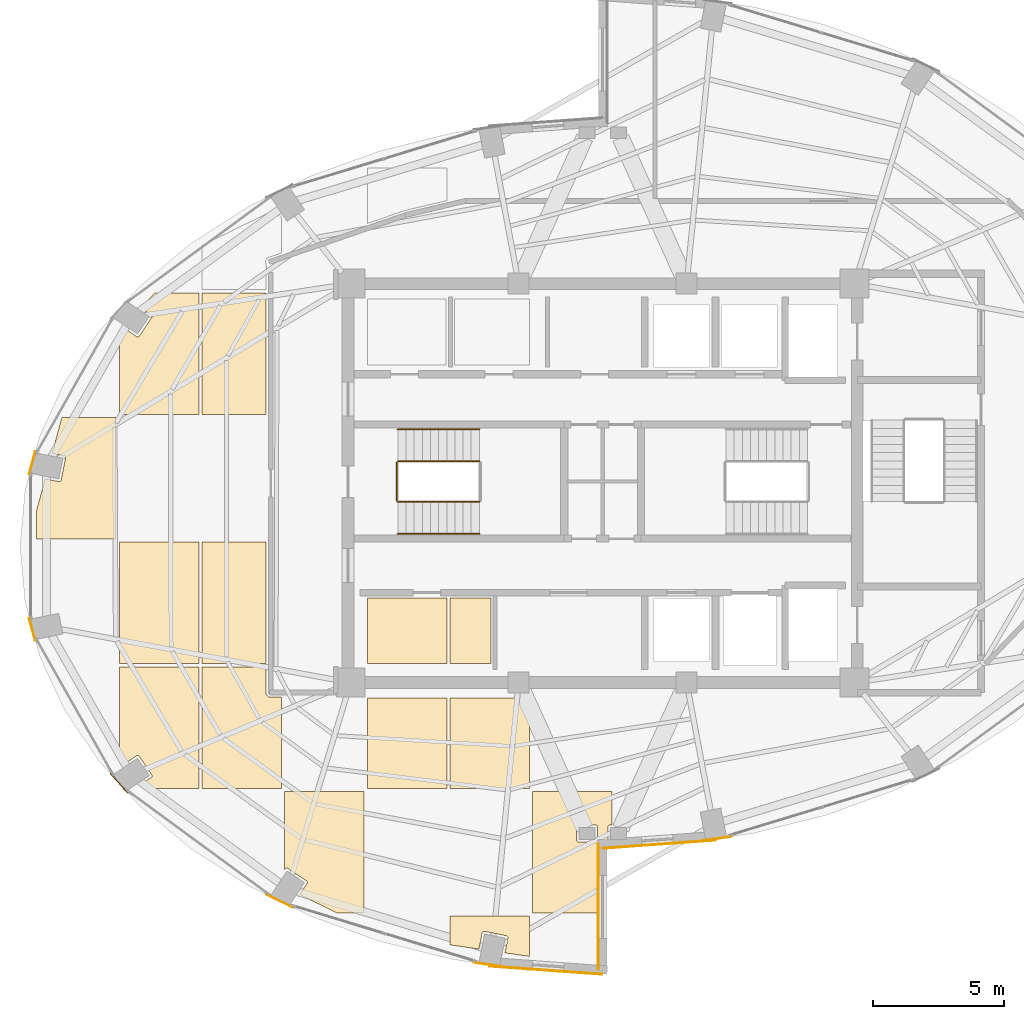
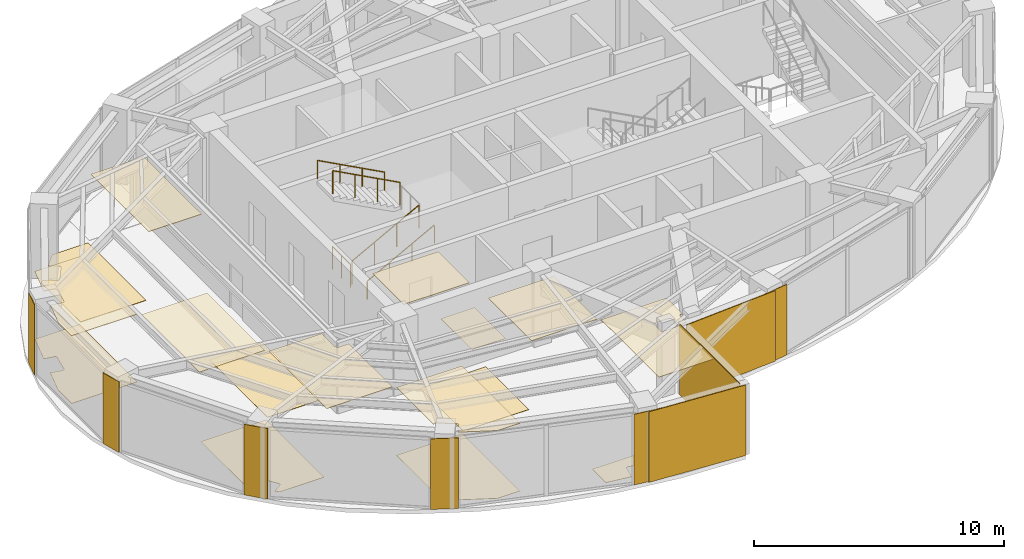
# One storey, part 21 of 22: 25 coverings, 5 railings.
"""IFC4 building model written with IfcOpenShell, lengths in metres."""

from ifc_helpers import new_model, si_unit, direction, frame, origin, origin_2d, place, context, subcontext, project, spatial, polyline, rectangle, circle, outline, extrude, material, layer, layer_set, type_object, element, save


model = new_model("IFC4")

# Units and contexts
model_context = context("Model", 3, precision=1e-05, world=origin(), true_north=direction((0.0, 1.0)))
body_context = subcontext(model_context, "Body", "Model", "MODEL_VIEW")
ifc_project = project(units=[si_unit("LENGTHUNIT", "METRE"), si_unit("AREAUNIT", "SQUARE_METRE"), si_unit("VOLUMEUNIT", "CUBIC_METRE"), si_unit("PLANEANGLEUNIT", "RADIAN"), si_unit("MASSUNIT", "GRAM", prefix="KILO")], contexts=[model_context])

# Site, building, storey
site_placement = place(None, origin())
site = spatial("IfcSite", under=ifc_project, at=site_placement, CompositionType="ELEMENT")
building_placement = place(site_placement, origin())
building = spatial("IfcBuilding", under=site, at=building_placement, Name="Lazwardi Medical Tower", CompositionType="ELEMENT")
storey_placement = place(building_placement, frame((0.0, 0.0, 258.672119140625)))
storey = spatial("IfcBuildingStorey", under=building, at=storey_placement, Name="L67", CompositionType="ELEMENT", Elevation=258.672119140625)

# Coverings
ifc_material_1 = material(Name="Anodised bronze aluminium cassette cladding", Category="aluminium")
ifc_layer_1 = layer(ifc_material_1, 0.030029296875)
ifc_layer_set_1 = layer_set([ifc_layer_1], Name="Anodised bronze aluminium cassette cladding")
covering_type_1 = type_object("IfcCoveringType", Name="COV-CLD-BRZ", PredefinedType="CLADDING", material=ifc_layer_set_1)
covering_1_placement = place(storey_placement, frame((40.3232421875, 14.450439453125, 0.0), z_axis=(0.0, 0.0, 1.0), x_axis=(0.989512431533, 0.144447733943, 0.0)))
element("IfcCovering", 1, at=covering_1_placement, inside=storey, type_object=covering_type_1, Name="L67 Mega-column bronze cassette cover M01", PredefinedType="CLADDING", context=body_context, shape_type="SweptSolid", body=[
    extrude(rectangle(XDim=1.188720703125, YDim=0.030029296875, at=origin_2d()), origin(), (0.0, 0.0, 1.0), 3.447998046875),
])
for number, where, z_axis, x_axis, name in (
    (2, (14.265869140625, 28.772705078125, 0.0), (0.0, 0.0, 1.0), (-0.261641748247, -0.96516506131, 0.0), "L67 Mega-column bronze cassette cover M12"),
    (3, (14.265869140625, 22.427490234375, 0.0), (0.0, 0.0, 1.0), (0.261641748247, -0.96516506131, 0.0), "L67 Mega-column bronze cassette cover M13"),
):
    element("IfcCovering", number, at=place(storey_placement, frame(where, z_axis=z_axis, x_axis=x_axis)), inside=storey, type_object=covering_type_1, Name=name, PredefinedType="CLADDING", context=body_context, shape_type="SweptSolid", body=[
        extrude(rectangle(XDim=0.894287109375, YDim=0.030029296875, at=origin_2d()), origin(), (0.0, 0.0, 1.0), 3.447998046875),
    ])
covering_2_placement = place(storey_placement, frame((17.57470703125, 16.565185546875, 0.0), z_axis=(0.0, 0.0, 1.0), x_axis=(0.673240970654, -0.739423150458, 0.0)))
element("IfcCovering", 4, at=covering_2_placement, inside=storey, type_object=covering_type_1, Name="L67 Mega-column bronze cassette cover M14", PredefinedType="CLADDING", context=body_context, shape_type="SweptSolid", body=[
    extrude(rectangle(XDim=0.98974609375, YDim=0.030029296875, at=origin_2d()), origin(), (0.0, 0.0, 1.0), 3.447998046875),
])
covering_3_placement = place(storey_placement, frame((23.688720703125, 12.07861328125, 0.0), z_axis=(0.0, 0.0, 1.0), x_axis=(0.897840141691, -0.440321564278, 0.0)))
element("IfcCovering", 5, at=covering_3_placement, inside=storey, type_object=covering_type_1, Name="L67 Mega-column bronze cassette cover M15", PredefinedType="CLADDING", context=body_context, shape_type="SweptSolid", body=[
    extrude(rectangle(XDim=1.110595703125, YDim=0.030029296875, at=origin_2d()), origin(), (0.0, 0.0, 1.0), 3.447998046875),
])
covering_4_placement = place(storey_placement, frame((31.6767578125, 9.650390625, 0.0), z_axis=(0.0, 0.0, 1.0), x_axis=(0.989512431533, -0.144447733943, 0.0)))
element("IfcCovering", 6, at=covering_4_placement, inside=storey, type_object=covering_type_1, Name="L67 Mega-column bronze cassette cover M16", PredefinedType="CLADDING", context=body_context, shape_type="SweptSolid", body=[
    extrude(rectangle(XDim=1.188720703125, YDim=0.030029296875, at=origin_2d()), origin(), (0.0, 0.0, 1.0), 3.447998046875),
])
ifc_material_2 = material(Name="Turquoise glazed ceramic tilework cladding", Category="masonry")
ifc_layer_2 = layer(ifc_material_2, 0.034912109375)
ifc_layer_set_2 = layer_set([ifc_layer_2], Name="Turquoise glazed ceramic tilework cladding")
covering_type_2 = type_object("IfcCoveringType", Name="COV-CLD-TRQ", PredefinedType="CLADDING", material=ifc_layer_set_2)
covering_5_placement = place(storey_placement, frame((38.16259765625, 14.239990234375, 0.0), z_axis=(0.0, 0.0, 1.0), x_axis=(0.997409491337, 0.071932653157, 0.0)))
element("IfcCovering", 7, at=covering_5_placement, inside=storey, type_object=covering_type_2, Name="L67 Turquoise glazed ceramic tilework cladding", PredefinedType="CLADDING", context=body_context, shape_type="SweptSolid", body=[
    extrude(rectangle(XDim=4.31103515625, YDim=0.034912109375, at=origin_2d()), origin(), (0.0, 0.0, 1.0), 3.447998046875),
])
covering_6_placement = place(storey_placement, frame((33.83740234375, 9.43994140625, 0.0), z_axis=(0.0, 0.0, 1.0), x_axis=(0.997408989128, -0.071939616387, 0.0)))
element("IfcCovering", 8, at=covering_6_placement, inside=storey, type_object=covering_type_2, Name="L67 Turquoise glazed ceramic tilework cladding", PredefinedType="CLADDING", context=body_context, shape_type="SweptSolid", body=[
    extrude(rectangle(XDim=4.310546875, YDim=0.034912109375, at=origin_2d()), origin(), (0.0, 0.0, 1.0), 3.447998046875),
])
covering_7_placement = place(storey_placement, frame((35.824462890625, 11.860107421875, 0.0), z_axis=(0.0, 0.0, 1.0), x_axis=(0.0, 1.0, 0.0)))
element("IfcCovering", 9, at=covering_7_placement, inside=storey, type_object=covering_type_2, Name="L67 Turquoise glazed ceramic tilework iwan panel", PredefinedType="CLADDING", context=body_context, shape_type="SweptSolid", body=[
    extrude(rectangle(XDim=4.800048828125, YDim=0.034912109375, at=origin_2d()), origin(), (0.0, 0.0, 1.0), 3.447998046875),
])
ifc_material_3 = material(Name="Acoustic mineral fibre tile")
ifc_layer_3 = layer(ifc_material_3, 0.02490234375)
ifc_layer_set_3 = layer_set([ifc_layer_3], Name="Acoustic mineral fibre tile")
covering_type_3 = type_object("IfcCoveringType", Name="COV-CLG-01", PredefinedType="CEILING", material=ifc_layer_set_3)
covering_8_placement = place(storey_placement, frame((0.0, 0.0, 3.302978515625)))
element("IfcCovering", 10, at=covering_8_placement, inside=storey, type_object=covering_type_3, Name="L67 Clinical Acoustic Ceiling 1", PredefinedType="CEILING", context=body_context, shape_type="SweptSolid", body=[
    extrude(outline(polyline([(15.39501953125, 30.50244140625), (15.0224609375, 29.13134765625), (15.4716796875, 29.0419921875), (15.479248046875, 29.040283203125), (15.486572265625, 29.03759765625), (15.49365234375, 29.0341796875), (15.50048828125, 29.030029296875), (15.5068359375, 29.025390625), (15.5126953125, 29.020263671875), (15.517822265625, 29.014404296875), (15.5224609375, 29.008056640625), (15.526611328125, 29.001220703125), (15.52978515625, 28.994140625), (15.53271484375, 28.98681640625), (15.534423828125, 28.979248046875), (15.53564453125, 28.971435546875), (15.535888671875, 28.963623046875), (15.53564453125, 28.955810546875), (15.534423828125, 28.947998046875), (15.37060546875, 28.124267578125), (15.36865234375, 28.11669921875), (15.365966796875, 28.109130859375), (15.36279296875, 28.10205078125), (15.358642578125, 28.095458984375), (15.35400390625, 28.089111328125), (15.3486328125, 28.083251953125), (15.343017578125, 28.077880859375), (15.33642578125, 28.0732421875), (15.329833984375, 28.069091796875), (15.32275390625, 28.06591796875), (15.315185546875, 28.063232421875), (15.3076171875, 28.061279296875), (15.2998046875, 28.060302734375), (15.2919921875, 28.059814453125), (15.2841796875, 28.060302734375), (15.276611328125, 28.061279296875), (14.759521484375, 28.1640625), (14.432861328125, 26.961669921875), (14.432861328125, 25.87255859375), (17.462890625, 25.87255859375), (17.462890625, 30.50244140625), (15.39501953125, 30.50244140625)])), origin(), (0.0, 0.0, 1.0), 0.02490234375),
])
covering_9_placement = place(storey_placement, frame((0.0, 0.0, 3.302978515625)))
element("IfcCovering", 11, at=covering_9_placement, inside=storey, type_object=covering_type_3, Name="L67 Clinical Acoustic Ceiling 2", PredefinedType="CEILING", context=body_context, shape_type="SweptSolid", body=[
    extrude(outline(polyline([(20.61279296875, 21.12255859375), (20.61279296875, 25.75244140625), (17.5830078125, 25.75244140625), (17.5830078125, 21.12255859375), (20.61279296875, 21.12255859375)])), origin(), (0.0, 0.0, 1.0), 0.02490234375),
])
covering_10_placement = place(storey_placement, frame((0.0, 0.0, 3.302978515625)))
element("IfcCovering", 12, at=covering_10_placement, inside=storey, type_object=covering_type_3, Name="L67 Clinical Acoustic Ceiling 3", PredefinedType="CEILING", context=body_context, shape_type="SweptSolid", body=[
    extrude(outline(polyline([(23.762939453125, 19.844970703125), (23.35009765625, 19.844970703125), (23.345703125, 19.84521484375), (23.33642578125, 19.845703125), (23.32958984375, 19.84619140625), (23.3203125, 19.84765625), (23.31201171875, 19.84912109375), (23.302734375, 19.8515625), (23.2958984375, 19.853515625), (23.287109375, 19.856689453125), (23.279296875, 19.860107421875), (23.270751953125, 19.864013671875), (23.263916015625, 19.86767578125), (23.256103515625, 19.872314453125), (23.249267578125, 19.876953125), (23.24169921875, 19.882568359375), (23.236083984375, 19.88720703125), (23.229248046875, 19.893310546875), (23.223388671875, 19.8994140625), (23.217041015625, 19.90625), (23.21240234375, 19.911865234375), (23.206787109375, 19.919189453125), (23.202392578125, 19.926025390625), (23.197509765625, 19.93408203125), (23.194091796875, 19.94091796875), (23.18994140625, 19.94921875), (23.186767578125, 19.95703125), (23.18359375, 19.9658203125), (23.181396484375, 19.972900390625), (23.17919921875, 19.98193359375), (23.177490234375, 19.990234375), (23.17626953125, 19.99951171875), (23.175537109375, 20.00634765625), (23.175048828125, 20.015625), (23.175048828125, 20.02001953125), (23.175048828125, 21.00244140625), (20.73291015625, 21.00244140625), (20.73291015625, 16.37255859375), (23.762939453125, 16.37255859375), (23.762939453125, 19.844970703125)])), origin(), (0.0, 0.0, 1.0), 0.02490234375),
])
covering_11_placement = place(storey_placement, frame((0.0, 0.0, 3.302978515625)))
element("IfcCovering", 13, at=covering_11_placement, inside=storey, type_object=covering_type_3, Name="L67 Clinical Acoustic Ceiling 4", PredefinedType="CEILING", context=body_context, shape_type="SweptSolid", body=[
    extrude(outline(polyline([(23.175048828125, 30.62255859375), (23.175048828125, 35.25244140625), (20.73291015625, 35.25244140625), (20.73291015625, 30.62255859375), (23.175048828125, 30.62255859375)])), origin(), (0.0, 0.0, 1.0), 0.02490234375),
])
covering_12_placement = place(storey_placement, frame((0.0, 0.0, 3.302978515625)))
element("IfcCovering", 14, at=covering_12_placement, inside=storey, type_object=covering_type_3, Name="L67 Clinical Acoustic Ceiling 5", PredefinedType="CEILING", context=body_context, shape_type="SweptSolid", body=[
    extrude(outline(polyline([(23.8828125, 13.27099609375), (23.900634765625, 13.297607421875), (23.905517578125, 13.303955078125), (23.91064453125, 13.309814453125), (23.91650390625, 13.31494140625), (23.9228515625, 13.319580078125), (23.929443359375, 13.32373046875), (23.9365234375, 13.3271484375), (23.944091796875, 13.329833984375), (23.95166015625, 13.331787109375), (23.95947265625, 13.332763671875), (23.96728515625, 13.333251953125), (23.97509765625, 13.332763671875), (23.98291015625, 13.331787109375), (23.990478515625, 13.329833984375), (23.997802734375, 13.3271484375), (24.0048828125, 13.32373046875), (24.01171875, 13.319580078125), (24.7099609375, 12.85302734375), (24.71630859375, 12.848388671875), (24.72216796875, 12.843017578125), (24.727294921875, 12.83740234375), (24.732177734375, 12.830810546875), (24.736083984375, 12.82421875), (24.739501953125, 12.817138671875), (24.7421875, 12.809814453125), (24.744140625, 12.802001953125), (24.7451171875, 12.794189453125), (24.74560546875, 12.78662109375), (24.7451171875, 12.77880859375), (24.744140625, 12.77099609375), (24.7421875, 12.76318359375), (24.739501953125, 12.755859375), (24.736083984375, 12.748779296875), (24.732177734375, 12.7421875), (24.4521484375, 12.322998046875), (25.8837890625, 11.62255859375), (26.912841796875, 11.62255859375), (26.912841796875, 16.25244140625), (23.8828125, 16.25244140625), (23.8828125, 13.27099609375)])), origin(), (0.0, 0.0, 1.0), 0.02490234375),
])
covering_13_placement = place(storey_placement, frame((0.0, 0.0, 3.302978515625)))
element("IfcCovering", 15, at=covering_13_placement, inside=storey, type_object=covering_type_3, Name="L67 Clinical Acoustic Ceiling 6", PredefinedType="CEILING", context=body_context, shape_type="SweptSolid", body=[
    extrude(outline(polyline([(30.06298828125, 23.6201171875), (27.032958984375, 23.6201171875), (27.032958984375, 21.12255859375), (30.06298828125, 21.12255859375), (30.06298828125, 23.6201171875)])), origin(), (0.0, 0.0, 1.0), 0.02490234375),
])
covering_14_placement = place(storey_placement, frame((0.0, 0.0, 3.302978515625)))
element("IfcCovering", 16, at=covering_14_placement, inside=storey, type_object=covering_type_3, Name="L67 Clinical Acoustic Ceiling 8", PredefinedType="CEILING", context=body_context, shape_type="SweptSolid", body=[
    extrude(outline(polyline([(33.212890625, 19.820068359375), (30.182861328125, 19.820068359375), (30.182861328125, 16.37255859375), (33.212890625, 16.37255859375), (33.212890625, 19.820068359375)])), origin(), (0.0, 0.0, 1.0), 0.02490234375),
])
covering_15_placement = place(storey_placement, frame((0.0, 0.0, 3.302978515625)))
element("IfcCovering", 17, at=covering_15_placement, inside=storey, type_object=covering_type_3, Name="L67 Clinical Acoustic Ceiling 10", PredefinedType="CEILING", context=body_context, shape_type="SweptSolid", body=[
    extrude(outline(polyline([(35.919921875, 11.62255859375), (35.919921875, 14.280029296875), (35.92041015625, 14.28759765625), (35.92138671875, 14.295166015625), (35.923095703125, 14.302490234375), (35.92578125, 14.309814453125), (35.928955078125, 14.316650390625), (35.9326171875, 14.3232421875), (35.93701171875, 14.329345703125), (35.94189453125, 14.335205078125), (35.947509765625, 14.34033203125), (35.95361328125, 14.34521484375), (35.9599609375, 14.34912109375), (35.966796875, 14.352783203125), (35.9736328125, 14.355712890625), (35.98095703125, 14.357666015625), (35.988525390625, 14.359130859375), (36.201416015625, 14.39013671875), (36.200439453125, 14.397216796875), (36.199951171875, 14.405029296875), (36.199951171875, 14.89501953125), (36.200439453125, 14.90283203125), (36.201416015625, 14.91064453125), (36.203369140625, 14.918212890625), (36.2060546875, 14.925537109375), (36.20947265625, 14.9326171875), (36.21337890625, 14.939453125), (36.21826171875, 14.94580078125), (36.223388671875, 14.95166015625), (36.229248046875, 14.956787109375), (36.235595703125, 14.96142578125), (36.2421875, 14.965576171875), (36.24951171875, 14.968994140625), (36.2568359375, 14.9716796875), (36.264404296875, 14.973388671875), (36.272216796875, 14.974609375), (36.280029296875, 14.97509765625), (36.36279296875, 14.97509765625), (36.36279296875, 16.25244140625), (33.3330078125, 16.25244140625), (33.3330078125, 11.62255859375), (35.919921875, 11.62255859375)]), holes=[polyline([(35.7431640625, 14.328369140625), (35.735595703125, 14.326416015625), (35.727783203125, 14.325439453125), (35.719970703125, 14.324951171875), (35.080078125, 14.324951171875), (35.072265625, 14.325439453125), (35.064453125, 14.326416015625), (35.056884765625, 14.328369140625), (35.04931640625, 14.3310546875), (35.042236328125, 14.33447265625), (35.03564453125, 14.33837890625), (35.029296875, 14.34326171875), (35.0234375, 14.348388671875), (35.018310546875, 14.354248046875), (35.013427734375, 14.360595703125), (35.009521484375, 14.3671875), (35.006103515625, 14.37451171875), (35.00341796875, 14.3818359375), (35.00146484375, 14.389404296875), (35.00048828125, 14.397216796875), (35.0, 14.405029296875), (35.0, 14.89501953125), (35.00048828125, 14.90283203125), (35.00146484375, 14.91064453125), (35.00341796875, 14.918212890625), (35.006103515625, 14.925537109375), (35.009521484375, 14.9326171875), (35.013427734375, 14.939453125), (35.018310546875, 14.94580078125), (35.0234375, 14.95166015625), (35.029296875, 14.956787109375), (35.03564453125, 14.96142578125), (35.042236328125, 14.965576171875), (35.04931640625, 14.968994140625), (35.056884765625, 14.9716796875), (35.064453125, 14.973388671875), (35.072265625, 14.974609375), (35.080078125, 14.97509765625), (35.719970703125, 14.97509765625), (35.727783203125, 14.974609375), (35.735595703125, 14.973388671875), (35.7431640625, 14.9716796875), (35.75048828125, 14.968994140625), (35.7578125, 14.965576171875), (35.764404296875, 14.96142578125), (35.770751953125, 14.956787109375), (35.776611328125, 14.95166015625), (35.78173828125, 14.94580078125), (35.78662109375, 14.939453125), (35.79052734375, 14.9326171875), (35.7939453125, 14.925537109375), (35.796630859375, 14.918212890625), (35.798583984375, 14.91064453125), (35.799560546875, 14.90283203125), (35.800048828125, 14.89501953125), (35.800048828125, 14.405029296875), (35.799560546875, 14.397216796875), (35.798583984375, 14.389404296875), (35.796630859375, 14.3818359375), (35.7939453125, 14.37451171875), (35.79052734375, 14.3671875), (35.78662109375, 14.360595703125), (35.78173828125, 14.354248046875), (35.776611328125, 14.348388671875), (35.770751953125, 14.34326171875), (35.764404296875, 14.33837890625), (35.7578125, 14.33447265625), (35.75048828125, 14.3310546875), (35.7431640625, 14.328369140625)])]), origin(), (0.0, 0.0, 1.0), 0.02490234375),
])
ifc_material_4 = material(Name="Anti-static hospital vinyl sheet flooring")
ifc_layer_4 = layer(ifc_material_4, 0.014892578125)
ifc_layer_set_4 = layer_set([ifc_layer_4], Name="Anti-static hospital vinyl sheet flooring")
covering_type_4 = type_object("IfcCoveringType", Name="COV-FLR-01", PredefinedType="FLOORING", material=ifc_layer_set_4)
covering_16_placement = place(storey_placement, origin())
element("IfcCovering", 18, at=covering_16_placement, inside=storey, type_object=covering_type_4, Name="L67 Clinical Vinyl Flooring 1", PredefinedType="FLOORING", context=body_context, shape_type="SweptSolid", body=[
    extrude(outline(polyline([(15.39501953125, 30.50244140625), (15.0224609375, 29.13134765625), (15.4716796875, 29.0419921875), (15.479248046875, 29.040283203125), (15.486572265625, 29.03759765625), (15.49365234375, 29.0341796875), (15.50048828125, 29.030029296875), (15.5068359375, 29.025390625), (15.5126953125, 29.020263671875), (15.517822265625, 29.014404296875), (15.5224609375, 29.008056640625), (15.526611328125, 29.001220703125), (15.52978515625, 28.994140625), (15.53271484375, 28.98681640625), (15.534423828125, 28.979248046875), (15.53564453125, 28.971435546875), (15.535888671875, 28.963623046875), (15.53564453125, 28.955810546875), (15.534423828125, 28.947998046875), (15.37060546875, 28.124267578125), (15.36865234375, 28.11669921875), (15.365966796875, 28.109130859375), (15.36279296875, 28.10205078125), (15.358642578125, 28.095458984375), (15.35400390625, 28.089111328125), (15.3486328125, 28.083251953125), (15.343017578125, 28.077880859375), (15.33642578125, 28.0732421875), (15.329833984375, 28.069091796875), (15.32275390625, 28.06591796875), (15.315185546875, 28.063232421875), (15.3076171875, 28.061279296875), (15.2998046875, 28.060302734375), (15.2919921875, 28.059814453125), (15.2841796875, 28.060302734375), (15.276611328125, 28.061279296875), (14.759521484375, 28.1640625), (14.432861328125, 26.961669921875), (14.432861328125, 25.87255859375), (17.462890625, 25.87255859375), (17.462890625, 30.50244140625), (15.39501953125, 30.50244140625)])), origin(), (0.0, 0.0, 1.0), 0.014892578125),
])
covering_17_placement = place(storey_placement, origin())
element("IfcCovering", 19, at=covering_17_placement, inside=storey, type_object=covering_type_4, Name="L67 Clinical Vinyl Flooring 2", PredefinedType="FLOORING", context=body_context, shape_type="SweptSolid", body=[
    extrude(outline(polyline([(17.5830078125, 17.43896484375), (17.7333984375, 17.273681640625), (18.236572265625, 17.60986328125), (18.2431640625, 17.614013671875), (18.250244140625, 17.6171875), (18.2578125, 17.6201171875), (18.265380859375, 17.621826171875), (18.273193359375, 17.623046875), (18.281005859375, 17.623291015625), (18.288818359375, 17.623046875), (18.29638671875, 17.621826171875), (18.30419921875, 17.6201171875), (18.3115234375, 17.6171875), (18.318603515625, 17.614013671875), (18.3251953125, 17.60986328125), (18.33154296875, 17.605224609375), (18.33740234375, 17.60009765625), (18.3427734375, 17.59423828125), (18.347412109375, 17.587890625), (18.814208984375, 16.889404296875), (18.818115234375, 16.8828125), (18.821533203125, 16.87548828125), (18.82421875, 16.8681640625), (18.826171875, 16.860595703125), (18.8271484375, 16.852783203125), (18.82763671875, 16.844970703125), (18.8271484375, 16.837158203125), (18.826171875, 16.829345703125), (18.82421875, 16.82177734375), (18.821533203125, 16.814453125), (18.818115234375, 16.807373046875), (18.814208984375, 16.800537109375), (18.809326171875, 16.794189453125), (18.80419921875, 16.788330078125), (18.79833984375, 16.783203125), (18.7919921875, 16.778564453125), (18.415283203125, 16.52685546875), (18.55615234375, 16.37255859375), (20.61279296875, 16.37255859375), (20.61279296875, 21.00244140625), (17.5830078125, 21.00244140625), (17.5830078125, 17.43896484375)])), origin(), (0.0, 0.0, 1.0), 0.014892578125),
])
covering_18_placement = place(storey_placement, origin())
element("IfcCovering", 20, at=covering_18_placement, inside=storey, type_object=covering_type_4, Name="L67 Clinical Vinyl Flooring 3", PredefinedType="FLOORING", context=body_context, shape_type="SweptSolid", body=[
    extrude(outline(polyline([(18.944091796875, 35.25244140625), (18.415283203125, 34.673095703125), (18.7919921875, 34.42138671875), (18.79833984375, 34.416748046875), (18.80419921875, 34.41162109375), (18.809326171875, 34.40576171875), (18.814208984375, 34.3994140625), (18.818115234375, 34.392578125), (18.821533203125, 34.385498046875), (18.82421875, 34.378173828125), (18.826171875, 34.37060546875), (18.8271484375, 34.36279296875), (18.82763671875, 34.35498046875), (18.8271484375, 34.34716796875), (18.826171875, 34.33935546875), (18.82421875, 34.331787109375), (18.821533203125, 34.324462890625), (18.818115234375, 34.3173828125), (18.814208984375, 34.310546875), (18.347412109375, 33.6123046875), (18.3427734375, 33.605712890625), (18.33740234375, 33.60009765625), (18.33154296875, 33.5947265625), (18.3251953125, 33.590087890625), (18.318603515625, 33.5859375), (18.3115234375, 33.582763671875), (18.30419921875, 33.580078125), (18.29638671875, 33.578125), (18.288818359375, 33.576904296875), (18.281005859375, 33.57666015625), (18.273193359375, 33.576904296875), (18.265380859375, 33.578125), (18.2578125, 33.580078125), (18.250244140625, 33.582763671875), (18.2431640625, 33.5859375), (18.236572265625, 33.590087890625), (17.7333984375, 33.92626953125), (17.5830078125, 33.760986328125), (17.5830078125, 30.62255859375), (20.61279296875, 30.62255859375), (20.61279296875, 35.25244140625), (18.944091796875, 35.25244140625)])), origin(), (0.0, 0.0, 1.0), 0.014892578125),
])
covering_19_placement = place(storey_placement, origin())
element("IfcCovering", 21, at=covering_19_placement, inside=storey, type_object=covering_type_4, Name="L67 Clinical Vinyl Flooring 4", PredefinedType="FLOORING", context=body_context, shape_type="SweptSolid", body=[
    extrude(outline(polyline([(23.175048828125, 21.12255859375), (23.175048828125, 25.75244140625), (20.73291015625, 25.75244140625), (20.73291015625, 21.12255859375), (23.175048828125, 21.12255859375)])), origin(), (0.0, 0.0, 1.0), 0.014892578125),
])
covering_20_placement = place(storey_placement, origin())
element("IfcCovering", 22, at=covering_20_placement, inside=storey, type_object=covering_type_4, Name="L67 Clinical Vinyl Flooring 6", PredefinedType="FLOORING", context=body_context, shape_type="SweptSolid", body=[
    extrude(outline(polyline([(23.8828125, 13.27099609375), (23.900634765625, 13.297607421875), (23.905517578125, 13.303955078125), (23.91064453125, 13.309814453125), (23.91650390625, 13.31494140625), (23.9228515625, 13.319580078125), (23.929443359375, 13.32373046875), (23.9365234375, 13.3271484375), (23.944091796875, 13.329833984375), (23.95166015625, 13.331787109375), (23.95947265625, 13.332763671875), (23.96728515625, 13.333251953125), (23.97509765625, 13.332763671875), (23.98291015625, 13.331787109375), (23.990478515625, 13.329833984375), (23.997802734375, 13.3271484375), (24.0048828125, 13.32373046875), (24.01171875, 13.319580078125), (24.7099609375, 12.85302734375), (24.71630859375, 12.848388671875), (24.72216796875, 12.843017578125), (24.727294921875, 12.83740234375), (24.732177734375, 12.830810546875), (24.736083984375, 12.82421875), (24.739501953125, 12.817138671875), (24.7421875, 12.809814453125), (24.744140625, 12.802001953125), (24.7451171875, 12.794189453125), (24.74560546875, 12.78662109375), (24.7451171875, 12.77880859375), (24.744140625, 12.77099609375), (24.7421875, 12.76318359375), (24.739501953125, 12.755859375), (24.736083984375, 12.748779296875), (24.732177734375, 12.7421875), (24.4521484375, 12.322998046875), (25.8837890625, 11.62255859375), (26.912841796875, 11.62255859375), (26.912841796875, 16.25244140625), (23.8828125, 16.25244140625), (23.8828125, 13.27099609375)])), origin(), (0.0, 0.0, 1.0), 0.014892578125),
])
covering_21_placement = place(storey_placement, origin())
element("IfcCovering", 23, at=covering_21_placement, inside=storey, type_object=covering_type_4, Name="L67 Clinical Vinyl Flooring 7", PredefinedType="FLOORING", context=body_context, shape_type="SweptSolid", body=[
    extrude(outline(polyline([(30.06298828125, 19.820068359375), (27.04931640625, 19.820068359375), (27.048583984375, 19.814453125), (27.046630859375, 19.806884765625), (27.0439453125, 19.79931640625), (27.04052734375, 19.792236328125), (27.03662109375, 19.78564453125), (27.032958984375, 19.78076171875), (27.032958984375, 16.37255859375), (30.06298828125, 16.37255859375), (30.06298828125, 19.820068359375)])), origin(), (0.0, 0.0, 1.0), 0.014892578125),
])
covering_22_placement = place(storey_placement, origin())
element("IfcCovering", 24, at=covering_22_placement, inside=storey, type_object=covering_type_4, Name="L67 Clinical Vinyl Flooring 9", PredefinedType="FLOORING", context=body_context, shape_type="SweptSolid", body=[
    extrude(outline(polyline([(30.182861328125, 10.407958984375), (31.285400390625, 10.247314453125), (31.40673828125, 10.8583984375), (31.40869140625, 10.865966796875), (31.411376953125, 10.873291015625), (31.414794921875, 10.88037109375), (31.418701171875, 10.88720703125), (31.423583984375, 10.8935546875), (31.4287109375, 10.8994140625), (31.4345703125, 10.904541015625), (31.44091796875, 10.9091796875), (31.447509765625, 10.913330078125), (31.45458984375, 10.91650390625), (31.462158203125, 10.919189453125), (31.4697265625, 10.921142578125), (31.4775390625, 10.92236328125), (31.4853515625, 10.922607421875), (31.4931640625, 10.92236328125), (31.5009765625, 10.921142578125), (32.32470703125, 10.75732421875), (32.332275390625, 10.75537109375), (32.339599609375, 10.752685546875), (32.3466796875, 10.74951171875), (32.353515625, 10.745361328125), (32.35986328125, 10.740478515625), (32.36572265625, 10.7353515625), (32.370849609375, 10.7294921875), (32.37548828125, 10.72314453125), (32.379638671875, 10.716552734375), (32.383056640625, 10.70947265625), (32.3857421875, 10.701904296875), (32.3876953125, 10.6943359375), (32.388671875, 10.6865234375), (32.38916015625, 10.6787109375), (32.388671875, 10.6708984375), (32.3876953125, 10.6630859375), (32.276123046875, 10.10302734375), (33.212890625, 9.966796875), (33.212890625, 11.50244140625), (30.182861328125, 11.50244140625), (30.182861328125, 10.407958984375)])), origin(), (0.0, 0.0, 1.0), 0.014892578125),
])
covering_23_placement = place(storey_placement, origin())
element("IfcCovering", 25, at=covering_23_placement, inside=storey, type_object=covering_type_4, Name="L67 Clinical Vinyl Flooring 10", PredefinedType="FLOORING", context=body_context, shape_type="SweptSolid", body=[
    extrude(outline(polyline([(31.739990234375, 21.12255859375), (31.739990234375, 23.6201171875), (30.182861328125, 23.6201171875), (30.182861328125, 21.12255859375), (31.739990234375, 21.12255859375)])), origin(), (0.0, 0.0, 1.0), 0.014892578125),
])

# Railings
ifc_material_5 = material(Name="Stainless steel Grade 316", Category="steel")
railing_type_1 = type_object("IfcRailingType", Name="RLG-GRD-1150", PredefinedType="GUARDRAIL", material=ifc_material_5)
railing_1_placement = place(storey_placement, frame((28.199951171875, 27.2900390625, 0.165771484375)))
element("IfcRailing", 26, at=railing_1_placement, inside=storey, type_object=railing_type_1, Name="L67 ST1 stair guard 1", PredefinedType="GUARDRAIL", context=body_context, shape_type="SweptSolid", body=[
    extrude(circle(Radius=0.02392578125, at=origin_2d()), frame((0.0, 0.0, 1.1259765625), z_axis=(0.881783298633, 0.0, 0.471654761719), x_axis=(0.0, 1.0, 0.0)), (0.0, 0.0, 1.0), 3.515625),
    extrude(circle(Radius=0.02099609375, at=origin_2d()), origin(), (0.0, 0.0, 1.0), 1.099853515625),
    extrude(circle(Radius=0.02099609375, at=origin_2d()), frame((1.033447265625, 0.0, 0.552734375)), (0.0, 0.0, 1.0), 1.099853515625),
    extrude(circle(Radius=0.02099609375, at=origin_2d()), frame((2.066650390625, 0.0, 1.10546875)), (0.0, 0.0, 1.0), 1.099853515625),
    extrude(circle(Radius=0.02099609375, at=origin_2d()), frame((3.10009765625, 0.0, 1.658203125)), (0.0, 0.0, 1.0), 1.099853515625),
])
railing_2_placement = place(storey_placement, frame((31.300048828125, 28.830078125, 1.98974609375)))
element("IfcRailing", 27, at=railing_2_placement, inside=storey, type_object=railing_type_1, Name="L67 ST1 stair guard 3", PredefinedType="GUARDRAIL", context=body_context, shape_type="SweptSolid", body=[
    extrude(circle(Radius=0.02392578125, at=origin_2d()), frame((0.0, 0.0, 1.1259765625), z_axis=(-0.881783298633, 0.0, 0.471654761719), x_axis=(0.0, -1.0, 0.0)), (0.0, 0.0, 1.0), 3.515625),
    extrude(circle(Radius=0.02099609375, at=origin_2d()), origin(), (0.0, 0.0, 1.0), 1.099853515625),
    extrude(circle(Radius=0.02099609375, at=origin_2d()), frame((-1.033447265625, 0.0, 0.552734375)), (0.0, 0.0, 1.0), 1.099853515625),
    extrude(circle(Radius=0.02099609375, at=origin_2d()), frame((-2.066650390625, 0.0, 1.10546875)), (0.0, 0.0, 1.0), 1.099853515625),
    extrude(circle(Radius=0.02099609375, at=origin_2d()), frame((-3.10009765625, 0.0, 1.658203125)), (0.0, 0.0, 1.0), 1.099853515625),
])
railing_3_placement = place(storey_placement, frame((28.14990234375, 27.340087890625, 0.0)))
element("IfcRailing", 28, at=railing_3_placement, inside=storey, type_object=railing_type_1, Name="L67 ST1 stair guard 4", PredefinedType="GUARDRAIL", context=body_context, shape_type="SweptSolid", body=[
    extrude(circle(Radius=0.02392578125, at=origin_2d()), frame((0.0, 0.0, 1.1259765625), z_axis=(0.0, 1.0, 0.0), x_axis=(-1.0, 0.0, 0.0)), (0.0, 0.0, 1.0), 1.43994140625),
    extrude(circle(Radius=0.02099609375, at=origin_2d()), origin(), (0.0, 0.0, 1.0), 1.099853515625),
    extrude(circle(Radius=0.02099609375, at=origin_2d()), frame((0.0, 0.719970703125, 0.0)), (0.0, 0.0, 1.0), 1.099853515625),
    extrude(circle(Radius=0.02099609375, at=origin_2d()), frame((0.0, 1.43994140625, 0.0)), (0.0, 0.0, 1.0), 1.099853515625),
])
railing_type_2 = type_object("IfcRailingType", Name="RLG-HND-920", PredefinedType="HANDRAIL", material=ifc_material_5)
railing_4_placement = place(storey_placement, frame((28.199951171875, 26.070068359375, 0.165771484375)))
element("IfcRailing", 29, at=railing_4_placement, inside=storey, type_object=railing_type_2, Name="L67 ST1 stair handrail 1", PredefinedType="HANDRAIL", context=body_context, shape_type="SweptSolid", body=[
    extrude(circle(Radius=0.02392578125, at=origin_2d()), frame((0.0, 0.0, 0.8857421875), z_axis=(0.881783298633, 0.0, 0.471654761719), x_axis=(0.0, 1.0, 0.0)), (0.0, 0.0, 1.0), 3.515625),
    extrude(circle(Radius=0.02099609375, at=origin_2d()), origin(), (0.0, 0.0, 1.0), 0.85986328125),
    extrude(circle(Radius=0.02099609375, at=origin_2d()), frame((1.033447265625, 0.0, 0.552734375)), (0.0, 0.0, 1.0), 0.85986328125),
    extrude(circle(Radius=0.02099609375, at=origin_2d()), frame((2.066650390625, 0.0, 1.10546875)), (0.0, 0.0, 1.0), 0.85986328125),
    extrude(circle(Radius=0.02099609375, at=origin_2d()), frame((3.10009765625, 0.0, 1.658203125)), (0.0, 0.0, 1.0), 0.85986328125),
])
railing_5_placement = place(storey_placement, frame((31.300048828125, 30.050048828125, 1.98974609375)))
element("IfcRailing", 30, at=railing_5_placement, inside=storey, type_object=railing_type_2, Name="L67 ST1 stair handrail 2", PredefinedType="HANDRAIL", context=body_context, shape_type="SweptSolid", body=[
    extrude(circle(Radius=0.02392578125, at=origin_2d()), frame((0.0, 0.0, 0.8857421875), z_axis=(-0.881783298633, 0.0, 0.471654761719), x_axis=(0.0, -1.0, 0.0)), (0.0, 0.0, 1.0), 3.515625),
    extrude(circle(Radius=0.02099609375, at=origin_2d()), origin(), (0.0, 0.0, 1.0), 0.85986328125),
    extrude(circle(Radius=0.02099609375, at=origin_2d()), frame((-1.033447265625, 0.0, 0.552734375)), (0.0, 0.0, 1.0), 0.85986328125),
    extrude(circle(Radius=0.02099609375, at=origin_2d()), frame((-2.066650390625, 0.0, 1.10546875)), (0.0, 0.0, 1.0), 0.85986328125),
    extrude(circle(Radius=0.02099609375, at=origin_2d()), frame((-3.10009765625, 0.0, 1.658203125)), (0.0, 0.0, 1.0), 0.85986328125),
])

save(model, "model.ifc")
